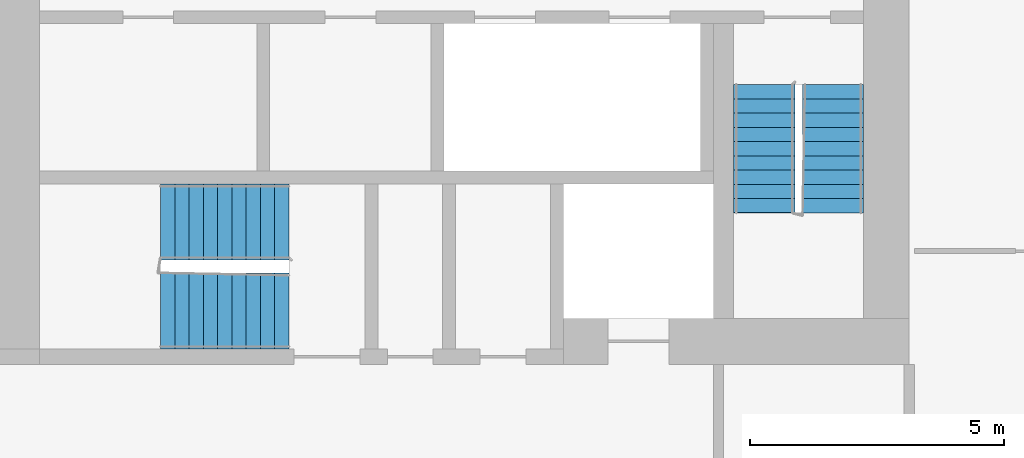
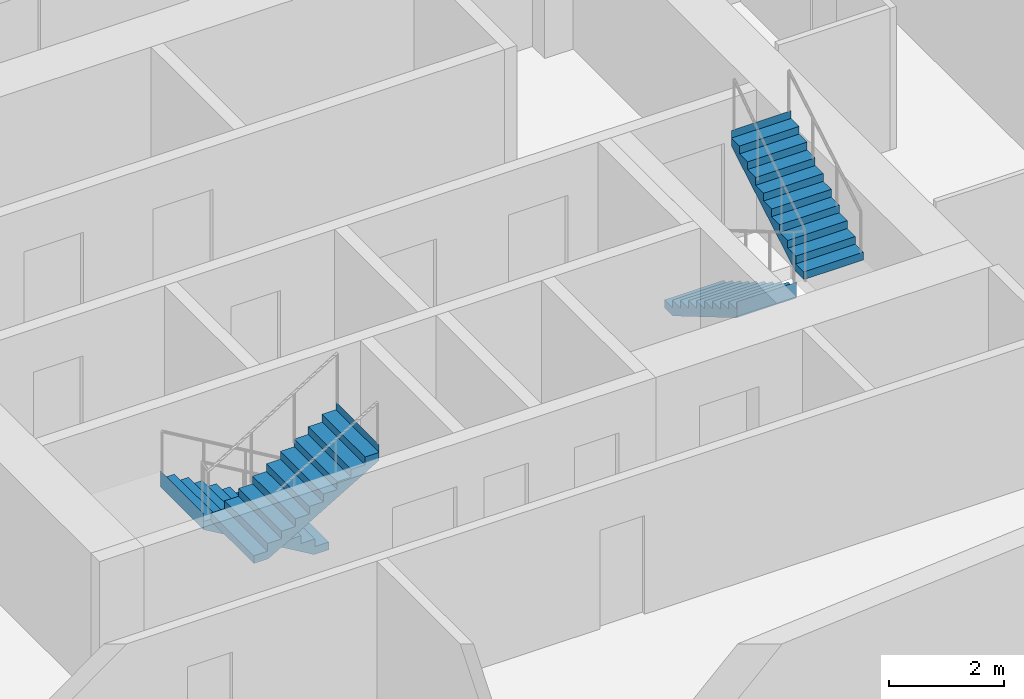
# One storey, part 9 of 12: 4 stair flights, 2 elements without a shape of their own.
"""IFC4 building model written with IfcOpenShell, lengths in metres."""

from ifc_helpers import new_model, si_unit, direction, frame, origin, place, context, subcontext, project, spatial, faceted_brep, material, type_object, element, aggregate, save


model = new_model("IFC4")

# Units and contexts
model_context = context("Model", 3, precision=1e-05, world=origin(), true_north=direction((0.0, 1.0)))
body_context = subcontext(model_context, "Body", "Model", "MODEL_VIEW")
ifc_project = project(units=[si_unit("LENGTHUNIT", "METRE"), si_unit("AREAUNIT", "SQUARE_METRE"), si_unit("VOLUMEUNIT", "CUBIC_METRE"), si_unit("PLANEANGLEUNIT", "RADIAN"), si_unit("MASSUNIT", "GRAM", prefix="KILO")], contexts=[model_context])

# Site, building, storey
site_placement = place(None, origin())
site = spatial("IfcSite", under=ifc_project, at=site_placement, CompositionType="ELEMENT")
building_placement = place(site_placement, origin())
building = spatial("IfcBuilding", under=site, at=building_placement, Name="Kajstack Hotel Tower", CompositionType="ELEMENT")
storey_placement = place(building_placement, frame((0.0, 0.0, 180.10009765625)))
storey = spatial("IfcBuildingStorey", under=building, at=storey_placement, Name="L42", CompositionType="ELEMENT", Elevation=180.10009765625)

# Stair, stair flights
ifc_material = material(Name="Concrete C40/50", Category="concrete")
stair_type_1 = type_object("IfcStairType", Name="Exit stair 1200", PredefinedType="HALF_TURN_STAIR", material=ifc_material)
stair_1_placement = place(storey_placement, origin())
stair_1 = element("IfcStair", 1, at=stair_1_placement, inside=storey, type_object=stair_type_1, Name="L42 stair W2", PredefinedType="HALF_TURN_STAIR")
stair_flight_type_1 = type_object("IfcStairFlightType", Name="Exit stair flight 1200", PredefinedType="STRAIGHT", material=ifc_material)
stair_flight_1_placement = place(storey_placement, frame((-16.35009765625, -10.0, 0.0), z_axis=(0.0, 0.0, 1.0), x_axis=(0.0, -1.0, 0.0)))
stair_flight_1 = element("IfcStairFlight", 2, at=stair_flight_1_placement, type_object=stair_flight_type_1, Name="W2 flight 1", NumberOfRisers=10, NumberOfTreads=9, PredefinedType="STRAIGHT", RiserHeight=0.165, TreadLength=0.28, context=body_context, shape_type="Brep", body=[
    faceted_brep([(0.295654296875, -0.60009765625, 0.0), (2.5205078125, -0.60009765625, 1.31103515625), (2.5205078125, -0.60009765625, 1.64990234375), (2.52001953125, -0.60009765625, 1.64990234375), (2.52001953125, -0.60009765625, 1.485107421875), (2.239990234375, -0.60009765625, 1.485107421875), (2.239990234375, -0.60009765625, 1.320068359375), (1.9599609375, -0.60009765625, 1.320068359375), (1.9599609375, -0.60009765625, 1.155029296875), (1.679931640625, -0.60009765625, 1.155029296875), (1.679931640625, -0.60009765625, 0.989990234375), (1.39990234375, -0.60009765625, 0.989990234375), (1.39990234375, -0.60009765625, 0.824951171875), (1.1201171875, -0.60009765625, 0.824951171875), (1.1201171875, -0.60009765625, 0.659912109375), (0.840087890625, -0.60009765625, 0.659912109375), (0.840087890625, -0.60009765625, 0.4951171875), (0.56005859375, -0.60009765625, 0.4951171875), (0.56005859375, -0.60009765625, 0.330078125), (0.280029296875, -0.60009765625, 0.330078125), (0.280029296875, -0.60009765625, 0.1650390625), (-0.00048828125, -0.60009765625, 0.1650390625), (-0.00048828125, -0.60009765625, 0.0), (-0.00048828125, 0.60009765625, 0.0), (-0.00048828125, 0.60009765625, 0.1650390625), (0.280029296875, 0.60009765625, 0.1650390625), (0.280029296875, 0.60009765625, 0.330078125), (0.56005859375, 0.60009765625, 0.330078125), (0.56005859375, 0.60009765625, 0.4951171875), (0.840087890625, 0.60009765625, 0.4951171875), (0.840087890625, 0.60009765625, 0.659912109375), (1.1201171875, 0.60009765625, 0.659912109375), (1.1201171875, 0.60009765625, 0.824951171875), (1.39990234375, 0.60009765625, 0.824951171875), (1.39990234375, 0.60009765625, 0.989990234375), (1.679931640625, 0.60009765625, 0.989990234375), (1.679931640625, 0.60009765625, 1.155029296875), (1.9599609375, 0.60009765625, 1.155029296875), (1.9599609375, 0.60009765625, 1.320068359375), (2.239990234375, 0.60009765625, 1.320068359375), (2.239990234375, 0.60009765625, 1.485107421875), (2.52001953125, 0.60009765625, 1.485107421875), (2.52001953125, 0.60009765625, 1.64990234375), (2.5205078125, 0.60009765625, 1.64990234375), (2.5205078125, 0.60009765625, 1.31103515625), (0.295654296875, 0.60009765625, 0.0), (-0.00048828125, -0.300048828125, 0.1650390625), (-0.00048828125, 0.0, 0.1650390625), (-0.00048828125, 0.300048828125, 0.1650390625), (-0.00048828125, 0.300048828125, 0.0), (-0.00048828125, 0.0, 0.0), (-0.00048828125, -0.300048828125, 0.0), (0.280029296875, -0.300048828125, 0.1650390625), (0.280029296875, 0.0, 0.1650390625), (0.280029296875, 0.300048828125, 0.1650390625), (0.280029296875, -0.300048828125, 0.330078125), (0.280029296875, 0.0, 0.330078125), (0.280029296875, 0.300048828125, 0.330078125), (0.56005859375, -0.300048828125, 0.330078125), (0.56005859375, 0.0, 0.330078125), (0.56005859375, 0.300048828125, 0.330078125), (0.56005859375, -0.300048828125, 0.4951171875), (0.56005859375, 0.0, 0.4951171875), (0.56005859375, 0.300048828125, 0.4951171875), (0.840087890625, -0.300048828125, 0.4951171875), (0.840087890625, 0.0, 0.4951171875), (0.840087890625, 0.300048828125, 0.4951171875), (0.840087890625, -0.300048828125, 0.659912109375), (0.840087890625, 0.0, 0.659912109375), (0.840087890625, 0.300048828125, 0.659912109375), (1.1201171875, -0.300048828125, 0.659912109375), (1.1201171875, 0.0, 0.659912109375), (1.1201171875, 0.300048828125, 0.659912109375), (1.1201171875, -0.300048828125, 0.824951171875), (1.1201171875, 0.0, 0.824951171875), (1.1201171875, 0.300048828125, 0.824951171875), (1.39990234375, -0.300048828125, 0.824951171875), (1.39990234375, 0.0, 0.824951171875), (1.39990234375, 0.300048828125, 0.824951171875), (1.39990234375, -0.300048828125, 0.989990234375), (1.39990234375, 0.0, 0.989990234375), (1.39990234375, 0.300048828125, 0.989990234375), (1.679931640625, -0.300048828125, 0.989990234375), (1.679931640625, 0.0, 0.989990234375), (1.679931640625, 0.300048828125, 0.989990234375), (1.679931640625, -0.300048828125, 1.155029296875), (1.679931640625, 0.0, 1.155029296875), (1.679931640625, 0.300048828125, 1.155029296875), (1.9599609375, -0.300048828125, 1.155029296875), (1.9599609375, 0.0, 1.155029296875), (1.9599609375, 0.300048828125, 1.155029296875), (1.9599609375, -0.300048828125, 1.320068359375), (1.9599609375, 0.0, 1.320068359375), (1.9599609375, 0.300048828125, 1.320068359375), (2.239990234375, -0.300048828125, 1.320068359375), (2.239990234375, 0.0, 1.320068359375), (2.239990234375, 0.300048828125, 1.320068359375), (2.239990234375, -0.300048828125, 1.485107421875), (2.239990234375, 0.0, 1.485107421875), (2.239990234375, 0.300048828125, 1.485107421875), (2.52001953125, -0.300048828125, 1.485107421875), (2.52001953125, 0.0, 1.485107421875), (2.52001953125, 0.300048828125, 1.485107421875), (2.52001953125, -0.300048828125, 1.64990234375), (2.52001953125, 0.0, 1.64990234375), (2.52001953125, 0.300048828125, 1.64990234375), (2.5205078125, -0.300048828125, 1.64990234375), (2.5205078125, 0.0, 1.64990234375), (2.5205078125, 0.300048828125, 1.64990234375), (2.5205078125, -0.300048828125, 1.31103515625), (2.5205078125, 0.0, 1.31103515625), (2.5205078125, 0.300048828125, 1.31103515625), (0.295654296875, -0.300048828125, 0.0), (0.295654296875, 0.0, 0.0), (0.295654296875, 0.300048828125, 0.0)], [[[0, 1, 2, 3, 4, 5, 6, 7, 8, 9, 10, 11, 12, 13, 14, 15, 16, 17, 18, 19, 20, 21, 22]], [[23, 24, 25, 26, 27, 28, 29, 30, 31, 32, 33, 34, 35, 36, 37, 38, 39, 40, 41, 42, 43, 44, 45]], [[21, 46, 47, 48, 24, 23, 49, 50, 51, 22]], [[20, 52, 53, 54, 25, 24, 48, 47, 46, 21]], [[19, 55, 56, 57, 26, 25, 54, 53, 52, 20]], [[18, 58, 59, 60, 27, 26, 57, 56, 55, 19]], [[17, 61, 62, 63, 28, 27, 60, 59, 58, 18]], [[16, 64, 65, 66, 29, 28, 63, 62, 61, 17]], [[15, 67, 68, 69, 30, 29, 66, 65, 64, 16]], [[14, 70, 71, 72, 31, 30, 69, 68, 67, 15]], [[13, 73, 74, 75, 32, 31, 72, 71, 70, 14]], [[12, 76, 77, 78, 33, 32, 75, 74, 73, 13]], [[11, 79, 80, 81, 34, 33, 78, 77, 76, 12]], [[10, 82, 83, 84, 35, 34, 81, 80, 79, 11]], [[9, 85, 86, 87, 36, 35, 84, 83, 82, 10]], [[8, 88, 89, 90, 37, 36, 87, 86, 85, 9]], [[7, 91, 92, 93, 38, 37, 90, 89, 88, 8]], [[6, 94, 95, 96, 39, 38, 93, 92, 91, 7]], [[5, 97, 98, 99, 40, 39, 96, 95, 94, 6]], [[4, 100, 101, 102, 41, 40, 99, 98, 97, 5]], [[3, 103, 104, 105, 42, 41, 102, 101, 100, 4]], [[2, 106, 107, 108, 43, 42, 105, 104, 103, 3]], [[1, 109, 110, 111, 44, 43, 108, 107, 106, 2]], [[0, 112, 113, 114, 45, 44, 111, 110, 109, 1]], [[22, 51, 50, 49, 23, 45, 114, 113, 112, 0]]]),
])
stair_flight_2_placement = place(storey_placement, frame((-15.0, -12.52001953125, 1.64990234375), z_axis=(0.0, 0.0, 1.0), x_axis=(0.0, 1.0, 0.0)))
stair_flight_2 = element("IfcStairFlight", 3, at=stair_flight_2_placement, type_object=stair_flight_type_1, Name="W2 flight 2", NumberOfRisers=10, NumberOfTreads=9, PredefinedType="STRAIGHT", RiserHeight=0.165, TreadLength=0.28, context=body_context, shape_type="Brep", body=[
    faceted_brep([(0.295654296875, -0.60009765625, 0.0), (2.5205078125, -0.60009765625, 1.31103515625), (2.5205078125, -0.60009765625, 1.64990234375), (2.52001953125, -0.60009765625, 1.64990234375), (2.52001953125, -0.60009765625, 1.485107421875), (2.239990234375, -0.60009765625, 1.485107421875), (2.239990234375, -0.60009765625, 1.320068359375), (1.9599609375, -0.60009765625, 1.320068359375), (1.9599609375, -0.60009765625, 1.155029296875), (1.679931640625, -0.60009765625, 1.155029296875), (1.679931640625, -0.60009765625, 0.989990234375), (1.39990234375, -0.60009765625, 0.989990234375), (1.39990234375, -0.60009765625, 0.824951171875), (1.1201171875, -0.60009765625, 0.824951171875), (1.1201171875, -0.60009765625, 0.659912109375), (0.840087890625, -0.60009765625, 0.659912109375), (0.840087890625, -0.60009765625, 0.4951171875), (0.56005859375, -0.60009765625, 0.4951171875), (0.56005859375, -0.60009765625, 0.330078125), (0.280029296875, -0.60009765625, 0.330078125), (0.280029296875, -0.60009765625, 0.1650390625), (-0.00048828125, -0.60009765625, 0.1650390625), (-0.00048828125, -0.60009765625, 0.0), (-0.00048828125, 0.60009765625, 0.0), (-0.00048828125, 0.60009765625, 0.1650390625), (0.280029296875, 0.60009765625, 0.1650390625), (0.280029296875, 0.60009765625, 0.330078125), (0.56005859375, 0.60009765625, 0.330078125), (0.56005859375, 0.60009765625, 0.4951171875), (0.840087890625, 0.60009765625, 0.4951171875), (0.840087890625, 0.60009765625, 0.659912109375), (1.1201171875, 0.60009765625, 0.659912109375), (1.1201171875, 0.60009765625, 0.824951171875), (1.39990234375, 0.60009765625, 0.824951171875), (1.39990234375, 0.60009765625, 0.989990234375), (1.679931640625, 0.60009765625, 0.989990234375), (1.679931640625, 0.60009765625, 1.155029296875), (1.9599609375, 0.60009765625, 1.155029296875), (1.9599609375, 0.60009765625, 1.320068359375), (2.239990234375, 0.60009765625, 1.320068359375), (2.239990234375, 0.60009765625, 1.485107421875), (2.52001953125, 0.60009765625, 1.485107421875), (2.52001953125, 0.60009765625, 1.64990234375), (2.5205078125, 0.60009765625, 1.64990234375), (2.5205078125, 0.60009765625, 1.31103515625), (0.295654296875, 0.60009765625, 0.0), (-0.00048828125, -0.300048828125, 0.1650390625), (-0.00048828125, 0.0, 0.1650390625), (-0.00048828125, 0.300048828125, 0.1650390625), (-0.00048828125, 0.300048828125, 0.0), (-0.00048828125, 0.0, 0.0), (-0.00048828125, -0.300048828125, 0.0), (0.280029296875, -0.300048828125, 0.1650390625), (0.280029296875, 0.0, 0.1650390625), (0.280029296875, 0.300048828125, 0.1650390625), (0.280029296875, -0.300048828125, 0.330078125), (0.280029296875, 0.0, 0.330078125), (0.280029296875, 0.300048828125, 0.330078125), (0.56005859375, -0.300048828125, 0.330078125), (0.56005859375, 0.0, 0.330078125), (0.56005859375, 0.300048828125, 0.330078125), (0.56005859375, -0.300048828125, 0.4951171875), (0.56005859375, 0.0, 0.4951171875), (0.56005859375, 0.300048828125, 0.4951171875), (0.840087890625, -0.300048828125, 0.4951171875), (0.840087890625, 0.0, 0.4951171875), (0.840087890625, 0.300048828125, 0.4951171875), (0.840087890625, -0.300048828125, 0.659912109375), (0.840087890625, 0.0, 0.659912109375), (0.840087890625, 0.300048828125, 0.659912109375), (1.1201171875, -0.300048828125, 0.659912109375), (1.1201171875, 0.0, 0.659912109375), (1.1201171875, 0.300048828125, 0.659912109375), (1.1201171875, -0.300048828125, 0.824951171875), (1.1201171875, 0.0, 0.824951171875), (1.1201171875, 0.300048828125, 0.824951171875), (1.39990234375, -0.300048828125, 0.824951171875), (1.39990234375, 0.0, 0.824951171875), (1.39990234375, 0.300048828125, 0.824951171875), (1.39990234375, -0.300048828125, 0.989990234375), (1.39990234375, 0.0, 0.989990234375), (1.39990234375, 0.300048828125, 0.989990234375), (1.679931640625, -0.300048828125, 0.989990234375), (1.679931640625, 0.0, 0.989990234375), (1.679931640625, 0.300048828125, 0.989990234375), (1.679931640625, -0.300048828125, 1.155029296875), (1.679931640625, 0.0, 1.155029296875), (1.679931640625, 0.300048828125, 1.155029296875), (1.9599609375, -0.300048828125, 1.155029296875), (1.9599609375, 0.0, 1.155029296875), (1.9599609375, 0.300048828125, 1.155029296875), (1.9599609375, -0.300048828125, 1.320068359375), (1.9599609375, 0.0, 1.320068359375), (1.9599609375, 0.300048828125, 1.320068359375), (2.239990234375, -0.300048828125, 1.320068359375), (2.239990234375, 0.0, 1.320068359375), (2.239990234375, 0.300048828125, 1.320068359375), (2.239990234375, -0.300048828125, 1.485107421875), (2.239990234375, 0.0, 1.485107421875), (2.239990234375, 0.300048828125, 1.485107421875), (2.52001953125, -0.300048828125, 1.485107421875), (2.52001953125, 0.0, 1.485107421875), (2.52001953125, 0.300048828125, 1.485107421875), (2.52001953125, -0.300048828125, 1.64990234375), (2.52001953125, 0.0, 1.64990234375), (2.52001953125, 0.300048828125, 1.64990234375), (2.5205078125, -0.300048828125, 1.64990234375), (2.5205078125, 0.0, 1.64990234375), (2.5205078125, 0.300048828125, 1.64990234375), (2.5205078125, -0.300048828125, 1.31103515625), (2.5205078125, 0.0, 1.31103515625), (2.5205078125, 0.300048828125, 1.31103515625), (0.295654296875, -0.300048828125, 0.0), (0.295654296875, 0.0, 0.0), (0.295654296875, 0.300048828125, 0.0)], [[[0, 1, 2, 3, 4, 5, 6, 7, 8, 9, 10, 11, 12, 13, 14, 15, 16, 17, 18, 19, 20, 21, 22]], [[23, 24, 25, 26, 27, 28, 29, 30, 31, 32, 33, 34, 35, 36, 37, 38, 39, 40, 41, 42, 43, 44, 45]], [[21, 46, 47, 48, 24, 23, 49, 50, 51, 22]], [[20, 52, 53, 54, 25, 24, 48, 47, 46, 21]], [[19, 55, 56, 57, 26, 25, 54, 53, 52, 20]], [[18, 58, 59, 60, 27, 26, 57, 56, 55, 19]], [[17, 61, 62, 63, 28, 27, 60, 59, 58, 18]], [[16, 64, 65, 66, 29, 28, 63, 62, 61, 17]], [[15, 67, 68, 69, 30, 29, 66, 65, 64, 16]], [[14, 70, 71, 72, 31, 30, 69, 68, 67, 15]], [[13, 73, 74, 75, 32, 31, 72, 71, 70, 14]], [[12, 76, 77, 78, 33, 32, 75, 74, 73, 13]], [[11, 79, 80, 81, 34, 33, 78, 77, 76, 12]], [[10, 82, 83, 84, 35, 34, 81, 80, 79, 11]], [[9, 85, 86, 87, 36, 35, 84, 83, 82, 10]], [[8, 88, 89, 90, 37, 36, 87, 86, 85, 9]], [[7, 91, 92, 93, 38, 37, 90, 89, 88, 8]], [[6, 94, 95, 96, 39, 38, 93, 92, 91, 7]], [[5, 97, 98, 99, 40, 39, 96, 95, 94, 6]], [[4, 100, 101, 102, 41, 40, 99, 98, 97, 5]], [[3, 103, 104, 105, 42, 41, 102, 101, 100, 4]], [[2, 106, 107, 108, 43, 42, 105, 104, 103, 3]], [[1, 109, 110, 111, 44, 43, 108, 107, 106, 2]], [[0, 112, 113, 114, 45, 44, 111, 110, 109, 1]], [[22, 51, 50, 49, 23, 45, 114, 113, 112, 0]]]),
])
aggregate(stair_1, [stair_flight_1, stair_flight_2])

stair_type_2 = type_object("IfcStairType", Name="Exit stair 1500", PredefinedType="HALF_TURN_STAIR", material=ifc_material)
stair_2_placement = place(storey_placement, origin())
stair_2 = element("IfcStair", 4, at=stair_2_placement, inside=storey, type_object=stair_type_2, Name="L42 stair W3", PredefinedType="HALF_TURN_STAIR")
stair_flight_type_2 = type_object("IfcStairFlightType", Name="Exit stair flight 1500", PredefinedType="STRAIGHT", material=ifc_material)
stair_flight_3_placement = place(storey_placement, frame((-25.699951171875, -12.699951171875, 0.0), z_axis=(0.0, 0.0, 1.0), x_axis=(-1.0, 0.0, 0.0)))
stair_flight_3 = element("IfcStairFlight", 5, at=stair_flight_3_placement, type_object=stair_flight_type_2, Name="W3 flight 1", NumberOfRisers=10, NumberOfTreads=9, PredefinedType="STRAIGHT", RiserHeight=0.165, TreadLength=0.28, context=body_context, shape_type="Brep", body=[
    faceted_brep([(0.295654296875, -0.75, 0.0), (2.5205078125, -0.75, 1.31103515625), (2.5205078125, -0.75, 1.64990234375), (2.52001953125, -0.75, 1.64990234375), (2.52001953125, -0.75, 1.485107421875), (2.239990234375, -0.75, 1.485107421875), (2.239990234375, -0.75, 1.320068359375), (1.9599609375, -0.75, 1.320068359375), (1.9599609375, -0.75, 1.155029296875), (1.679931640625, -0.75, 1.155029296875), (1.679931640625, -0.75, 0.989990234375), (1.39990234375, -0.75, 0.989990234375), (1.39990234375, -0.75, 0.824951171875), (1.1201171875, -0.75, 0.824951171875), (1.1201171875, -0.75, 0.659912109375), (0.840087890625, -0.75, 0.659912109375), (0.840087890625, -0.75, 0.4951171875), (0.56005859375, -0.75, 0.4951171875), (0.56005859375, -0.75, 0.330078125), (0.280029296875, -0.75, 0.330078125), (0.280029296875, -0.75, 0.1650390625), (-0.00048828125, -0.75, 0.1650390625), (-0.00048828125, -0.75, 0.0), (-0.00048828125, 0.75, 0.0), (-0.00048828125, 0.75, 0.1650390625), (0.280029296875, 0.75, 0.1650390625), (0.280029296875, 0.75, 0.330078125), (0.56005859375, 0.75, 0.330078125), (0.56005859375, 0.75, 0.4951171875), (0.840087890625, 0.75, 0.4951171875), (0.840087890625, 0.75, 0.659912109375), (1.1201171875, 0.75, 0.659912109375), (1.1201171875, 0.75, 0.824951171875), (1.39990234375, 0.75, 0.824951171875), (1.39990234375, 0.75, 0.989990234375), (1.679931640625, 0.75, 0.989990234375), (1.679931640625, 0.75, 1.155029296875), (1.9599609375, 0.75, 1.155029296875), (1.9599609375, 0.75, 1.320068359375), (2.239990234375, 0.75, 1.320068359375), (2.239990234375, 0.75, 1.485107421875), (2.52001953125, 0.75, 1.485107421875), (2.52001953125, 0.75, 1.64990234375), (2.5205078125, 0.75, 1.64990234375), (2.5205078125, 0.75, 1.31103515625), (0.295654296875, 0.75, 0.0), (-0.00048828125, -0.375, 0.1650390625), (-0.00048828125, 0.0, 0.1650390625), (-0.00048828125, 0.375, 0.1650390625), (-0.00048828125, 0.375, 0.0), (-0.00048828125, 0.0, 0.0), (-0.00048828125, -0.375, 0.0), (0.280029296875, -0.375, 0.1650390625), (0.280029296875, 0.0, 0.1650390625), (0.280029296875, 0.375, 0.1650390625), (0.280029296875, -0.375, 0.330078125), (0.280029296875, 0.0, 0.330078125), (0.280029296875, 0.375, 0.330078125), (0.56005859375, -0.375, 0.330078125), (0.56005859375, 0.0, 0.330078125), (0.56005859375, 0.375, 0.330078125), (0.56005859375, -0.375, 0.4951171875), (0.56005859375, 0.0, 0.4951171875), (0.56005859375, 0.375, 0.4951171875), (0.840087890625, -0.375, 0.4951171875), (0.840087890625, 0.0, 0.4951171875), (0.840087890625, 0.375, 0.4951171875), (0.840087890625, -0.375, 0.659912109375), (0.840087890625, 0.0, 0.659912109375), (0.840087890625, 0.375, 0.659912109375), (1.1201171875, -0.375, 0.659912109375), (1.1201171875, 0.0, 0.659912109375), (1.1201171875, 0.375, 0.659912109375), (1.1201171875, -0.375, 0.824951171875), (1.1201171875, 0.0, 0.824951171875), (1.1201171875, 0.375, 0.824951171875), (1.39990234375, -0.375, 0.824951171875), (1.39990234375, 0.0, 0.824951171875), (1.39990234375, 0.375, 0.824951171875), (1.39990234375, -0.375, 0.989990234375), (1.39990234375, 0.0, 0.989990234375), (1.39990234375, 0.375, 0.989990234375), (1.679931640625, -0.375, 0.989990234375), (1.679931640625, 0.0, 0.989990234375), (1.679931640625, 0.375, 0.989990234375), (1.679931640625, -0.375, 1.155029296875), (1.679931640625, 0.0, 1.155029296875), (1.679931640625, 0.375, 1.155029296875), (1.9599609375, -0.375, 1.155029296875), (1.9599609375, 0.0, 1.155029296875), (1.9599609375, 0.375, 1.155029296875), (1.9599609375, -0.375, 1.320068359375), (1.9599609375, 0.0, 1.320068359375), (1.9599609375, 0.375, 1.320068359375), (2.239990234375, -0.375, 1.320068359375), (2.239990234375, 0.0, 1.320068359375), (2.239990234375, 0.375, 1.320068359375), (2.239990234375, -0.375, 1.485107421875), (2.239990234375, 0.0, 1.485107421875), (2.239990234375, 0.375, 1.485107421875), (2.52001953125, -0.375, 1.485107421875), (2.52001953125, 0.0, 1.485107421875), (2.52001953125, 0.375, 1.485107421875), (2.52001953125, -0.375, 1.64990234375), (2.52001953125, 0.0, 1.64990234375), (2.52001953125, 0.375, 1.64990234375), (2.5205078125, -0.375, 1.64990234375), (2.5205078125, 0.0, 1.64990234375), (2.5205078125, 0.375, 1.64990234375), (2.5205078125, -0.375, 1.31103515625), (2.5205078125, 0.0, 1.31103515625), (2.5205078125, 0.375, 1.31103515625), (0.295654296875, -0.375, 0.0), (0.295654296875, 0.0, 0.0), (0.295654296875, 0.375, 0.0)], [[[0, 1, 2, 3, 4, 5, 6, 7, 8, 9, 10, 11, 12, 13, 14, 15, 16, 17, 18, 19, 20, 21, 22]], [[23, 24, 25, 26, 27, 28, 29, 30, 31, 32, 33, 34, 35, 36, 37, 38, 39, 40, 41, 42, 43, 44, 45]], [[21, 46, 47, 48, 24, 23, 49, 50, 51, 22]], [[20, 52, 53, 54, 25, 24, 48, 47, 46, 21]], [[19, 55, 56, 57, 26, 25, 54, 53, 52, 20]], [[18, 58, 59, 60, 27, 26, 57, 56, 55, 19]], [[17, 61, 62, 63, 28, 27, 60, 59, 58, 18]], [[16, 64, 65, 66, 29, 28, 63, 62, 61, 17]], [[15, 67, 68, 69, 30, 29, 66, 65, 64, 16]], [[14, 70, 71, 72, 31, 30, 69, 68, 67, 15]], [[13, 73, 74, 75, 32, 31, 72, 71, 70, 14]], [[12, 76, 77, 78, 33, 32, 75, 74, 73, 13]], [[11, 79, 80, 81, 34, 33, 78, 77, 76, 12]], [[10, 82, 83, 84, 35, 34, 81, 80, 79, 11]], [[9, 85, 86, 87, 36, 35, 84, 83, 82, 10]], [[8, 88, 89, 90, 37, 36, 87, 86, 85, 9]], [[7, 91, 92, 93, 38, 37, 90, 89, 88, 8]], [[6, 94, 95, 96, 39, 38, 93, 92, 91, 7]], [[5, 97, 98, 99, 40, 39, 96, 95, 94, 6]], [[4, 100, 101, 102, 41, 40, 99, 98, 97, 5]], [[3, 103, 104, 105, 42, 41, 102, 101, 100, 4]], [[2, 106, 107, 108, 43, 42, 105, 104, 103, 3]], [[1, 109, 110, 111, 44, 43, 108, 107, 106, 2]], [[0, 112, 113, 114, 45, 44, 111, 110, 109, 1]], [[22, 51, 50, 49, 23, 45, 114, 113, 112, 0]]]),
])
stair_flight_4_placement = place(storey_placement, frame((-28.219970703125, -14.449951171875, 1.64990234375), z_axis=(0.0, 0.0, 1.0), x_axis=(1.0, 0.0, 0.0)))
stair_flight_4 = element("IfcStairFlight", 6, at=stair_flight_4_placement, type_object=stair_flight_type_2, Name="W3 flight 2", NumberOfRisers=10, NumberOfTreads=9, PredefinedType="STRAIGHT", RiserHeight=0.165, TreadLength=0.28, context=body_context, shape_type="Brep", body=[
    faceted_brep([(0.295654296875, -0.75, 0.0), (2.5205078125, -0.75, 1.31103515625), (2.5205078125, -0.75, 1.64990234375), (2.52001953125, -0.75, 1.64990234375), (2.52001953125, -0.75, 1.485107421875), (2.239990234375, -0.75, 1.485107421875), (2.239990234375, -0.75, 1.320068359375), (1.9599609375, -0.75, 1.320068359375), (1.9599609375, -0.75, 1.155029296875), (1.679931640625, -0.75, 1.155029296875), (1.679931640625, -0.75, 0.989990234375), (1.39990234375, -0.75, 0.989990234375), (1.39990234375, -0.75, 0.824951171875), (1.1201171875, -0.75, 0.824951171875), (1.1201171875, -0.75, 0.659912109375), (0.840087890625, -0.75, 0.659912109375), (0.840087890625, -0.75, 0.4951171875), (0.56005859375, -0.75, 0.4951171875), (0.56005859375, -0.75, 0.330078125), (0.280029296875, -0.75, 0.330078125), (0.280029296875, -0.75, 0.1650390625), (-0.00048828125, -0.75, 0.1650390625), (-0.00048828125, -0.75, 0.0), (-0.00048828125, 0.75, 0.0), (-0.00048828125, 0.75, 0.1650390625), (0.280029296875, 0.75, 0.1650390625), (0.280029296875, 0.75, 0.330078125), (0.56005859375, 0.75, 0.330078125), (0.56005859375, 0.75, 0.4951171875), (0.840087890625, 0.75, 0.4951171875), (0.840087890625, 0.75, 0.659912109375), (1.1201171875, 0.75, 0.659912109375), (1.1201171875, 0.75, 0.824951171875), (1.39990234375, 0.75, 0.824951171875), (1.39990234375, 0.75, 0.989990234375), (1.679931640625, 0.75, 0.989990234375), (1.679931640625, 0.75, 1.155029296875), (1.9599609375, 0.75, 1.155029296875), (1.9599609375, 0.75, 1.320068359375), (2.239990234375, 0.75, 1.320068359375), (2.239990234375, 0.75, 1.485107421875), (2.52001953125, 0.75, 1.485107421875), (2.52001953125, 0.75, 1.64990234375), (2.5205078125, 0.75, 1.64990234375), (2.5205078125, 0.75, 1.31103515625), (0.295654296875, 0.75, 0.0), (-0.00048828125, -0.375, 0.1650390625), (-0.00048828125, 0.0, 0.1650390625), (-0.00048828125, 0.375, 0.1650390625), (-0.00048828125, 0.375, 0.0), (-0.00048828125, 0.0, 0.0), (-0.00048828125, -0.375, 0.0), (0.280029296875, -0.375, 0.1650390625), (0.280029296875, 0.0, 0.1650390625), (0.280029296875, 0.375, 0.1650390625), (0.280029296875, -0.375, 0.330078125), (0.280029296875, 0.0, 0.330078125), (0.280029296875, 0.375, 0.330078125), (0.56005859375, -0.375, 0.330078125), (0.56005859375, 0.0, 0.330078125), (0.56005859375, 0.375, 0.330078125), (0.56005859375, -0.375, 0.4951171875), (0.56005859375, 0.0, 0.4951171875), (0.56005859375, 0.375, 0.4951171875), (0.840087890625, -0.375, 0.4951171875), (0.840087890625, 0.0, 0.4951171875), (0.840087890625, 0.375, 0.4951171875), (0.840087890625, -0.375, 0.659912109375), (0.840087890625, 0.0, 0.659912109375), (0.840087890625, 0.375, 0.659912109375), (1.1201171875, -0.375, 0.659912109375), (1.1201171875, 0.0, 0.659912109375), (1.1201171875, 0.375, 0.659912109375), (1.1201171875, -0.375, 0.824951171875), (1.1201171875, 0.0, 0.824951171875), (1.1201171875, 0.375, 0.824951171875), (1.39990234375, -0.375, 0.824951171875), (1.39990234375, 0.0, 0.824951171875), (1.39990234375, 0.375, 0.824951171875), (1.39990234375, -0.375, 0.989990234375), (1.39990234375, 0.0, 0.989990234375), (1.39990234375, 0.375, 0.989990234375), (1.679931640625, -0.375, 0.989990234375), (1.679931640625, 0.0, 0.989990234375), (1.679931640625, 0.375, 0.989990234375), (1.679931640625, -0.375, 1.155029296875), (1.679931640625, 0.0, 1.155029296875), (1.679931640625, 0.375, 1.155029296875), (1.9599609375, -0.375, 1.155029296875), (1.9599609375, 0.0, 1.155029296875), (1.9599609375, 0.375, 1.155029296875), (1.9599609375, -0.375, 1.320068359375), (1.9599609375, 0.0, 1.320068359375), (1.9599609375, 0.375, 1.320068359375), (2.239990234375, -0.375, 1.320068359375), (2.239990234375, 0.0, 1.320068359375), (2.239990234375, 0.375, 1.320068359375), (2.239990234375, -0.375, 1.485107421875), (2.239990234375, 0.0, 1.485107421875), (2.239990234375, 0.375, 1.485107421875), (2.52001953125, -0.375, 1.485107421875), (2.52001953125, 0.0, 1.485107421875), (2.52001953125, 0.375, 1.485107421875), (2.52001953125, -0.375, 1.64990234375), (2.52001953125, 0.0, 1.64990234375), (2.52001953125, 0.375, 1.64990234375), (2.5205078125, -0.375, 1.64990234375), (2.5205078125, 0.0, 1.64990234375), (2.5205078125, 0.375, 1.64990234375), (2.5205078125, -0.375, 1.31103515625), (2.5205078125, 0.0, 1.31103515625), (2.5205078125, 0.375, 1.31103515625), (0.295654296875, -0.375, 0.0), (0.295654296875, 0.0, 0.0), (0.295654296875, 0.375, 0.0)], [[[0, 1, 2, 3, 4, 5, 6, 7, 8, 9, 10, 11, 12, 13, 14, 15, 16, 17, 18, 19, 20, 21, 22]], [[23, 24, 25, 26, 27, 28, 29, 30, 31, 32, 33, 34, 35, 36, 37, 38, 39, 40, 41, 42, 43, 44, 45]], [[21, 46, 47, 48, 24, 23, 49, 50, 51, 22]], [[20, 52, 53, 54, 25, 24, 48, 47, 46, 21]], [[19, 55, 56, 57, 26, 25, 54, 53, 52, 20]], [[18, 58, 59, 60, 27, 26, 57, 56, 55, 19]], [[17, 61, 62, 63, 28, 27, 60, 59, 58, 18]], [[16, 64, 65, 66, 29, 28, 63, 62, 61, 17]], [[15, 67, 68, 69, 30, 29, 66, 65, 64, 16]], [[14, 70, 71, 72, 31, 30, 69, 68, 67, 15]], [[13, 73, 74, 75, 32, 31, 72, 71, 70, 14]], [[12, 76, 77, 78, 33, 32, 75, 74, 73, 13]], [[11, 79, 80, 81, 34, 33, 78, 77, 76, 12]], [[10, 82, 83, 84, 35, 34, 81, 80, 79, 11]], [[9, 85, 86, 87, 36, 35, 84, 83, 82, 10]], [[8, 88, 89, 90, 37, 36, 87, 86, 85, 9]], [[7, 91, 92, 93, 38, 37, 90, 89, 88, 8]], [[6, 94, 95, 96, 39, 38, 93, 92, 91, 7]], [[5, 97, 98, 99, 40, 39, 96, 95, 94, 6]], [[4, 100, 101, 102, 41, 40, 99, 98, 97, 5]], [[3, 103, 104, 105, 42, 41, 102, 101, 100, 4]], [[2, 106, 107, 108, 43, 42, 105, 104, 103, 3]], [[1, 109, 110, 111, 44, 43, 108, 107, 106, 2]], [[0, 112, 113, 114, 45, 44, 111, 110, 109, 1]], [[22, 51, 50, 49, 23, 45, 114, 113, 112, 0]]]),
])
aggregate(stair_2, [stair_flight_3, stair_flight_4])

save(model, "model.ifc")
